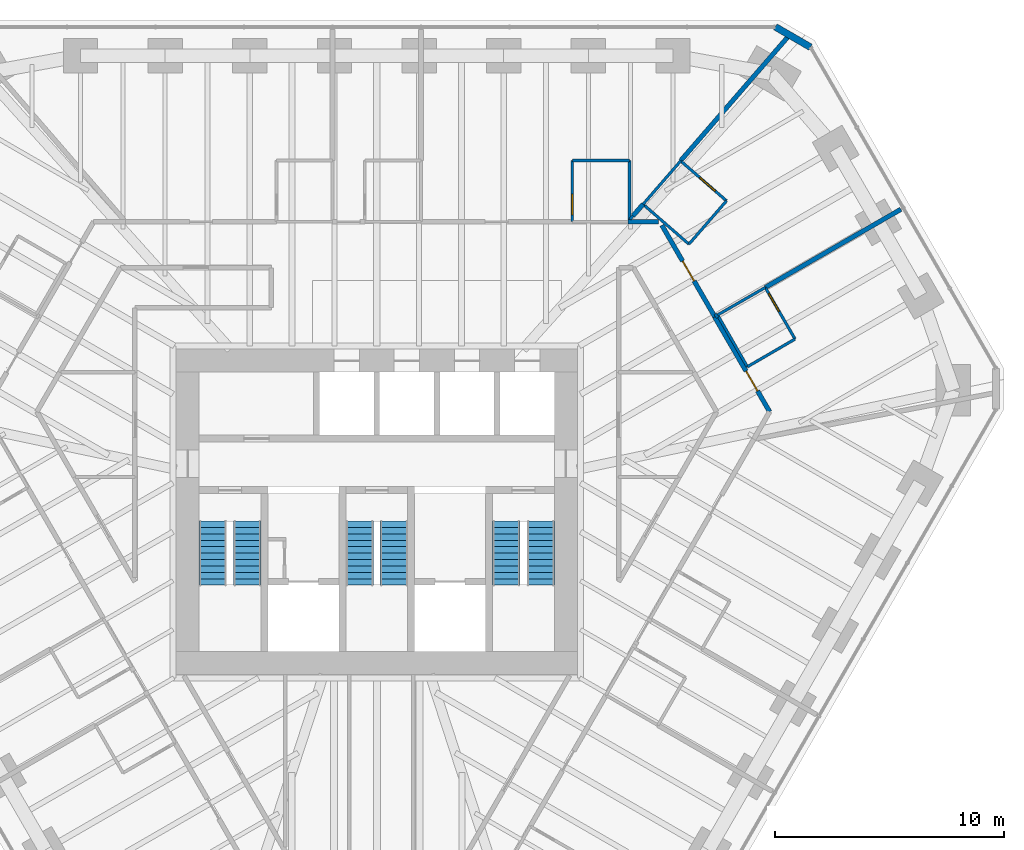
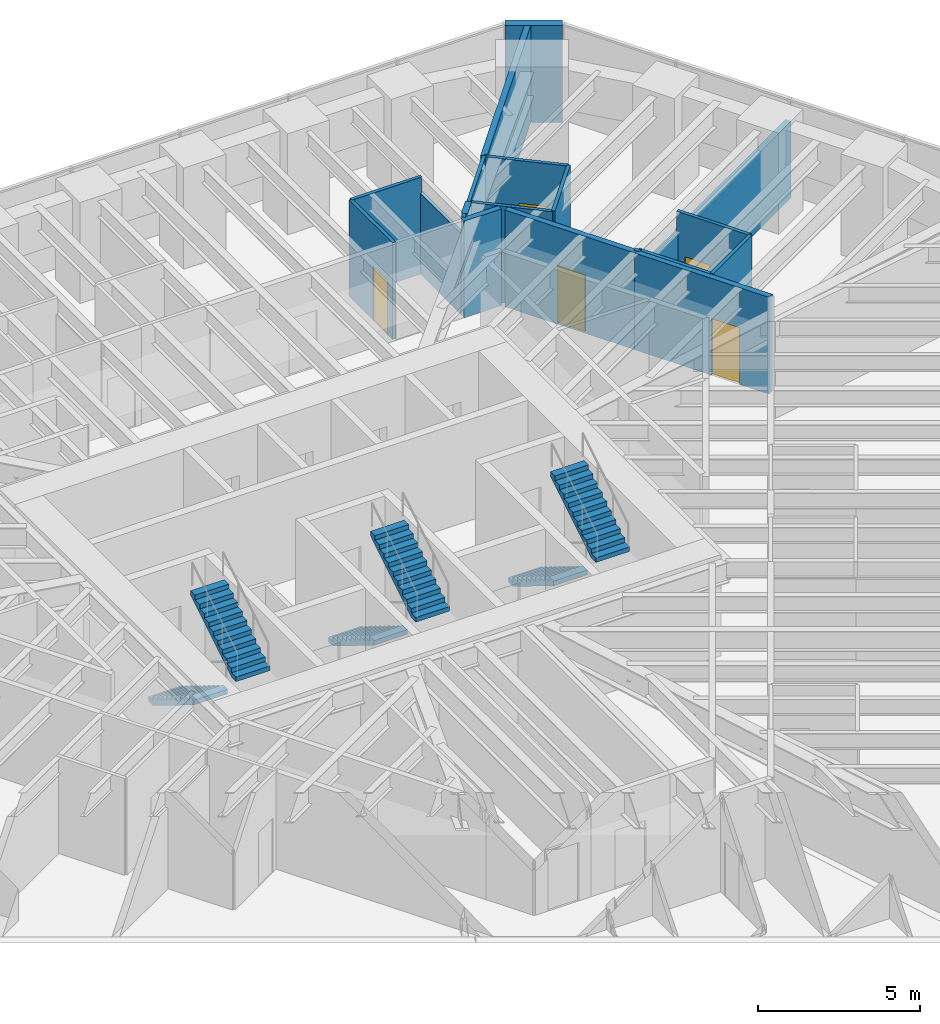
# One storey, part 15 of 16: 20 walls, 6 stair flights, 5 doors, 5 openings, 3 elements without a shape of their own.
"""IFC4 building model written with IfcOpenShell, lengths in metres."""

from ifc_helpers import new_model, si_unit, direction, frame, frame_2d, origin, place, context, subcontext, project, spatial, polyline, rectangle, outline, extrude, material, layer, layer_set, type_object, element, fill, aggregate, save


model = new_model("IFC4")

# Units and contexts
model_context = context("Model", 3, precision=1e-05, world=origin(), true_north=direction((0.0, 1.0)))
body_context = subcontext(model_context, "Body", "Model", "MODEL_VIEW")
ifc_project = project(units=[si_unit("LENGTHUNIT", "METRE"), si_unit("AREAUNIT", "SQUARE_METRE"), si_unit("VOLUMEUNIT", "CUBIC_METRE"), si_unit("PLANEANGLEUNIT", "RADIAN"), si_unit("MASSUNIT", "GRAM", prefix="KILO")], contexts=[model_context])

# Site, building, storey
site_placement = place(None, origin())
site = spatial("IfcSite", under=ifc_project, at=site_placement, CompositionType="ELEMENT")
building_placement = place(site_placement, origin())
building = spatial("IfcBuilding", under=site, at=building_placement, Name="Sandreach Pilgrim Tower", CompositionType="ELEMENT")
storey_placement = place(building_placement, frame((0.0, 0.0, 190.800048828125)))
storey = spatial("IfcBuildingStorey", under=building, at=storey_placement, Name="L47", CompositionType="ELEMENT", Elevation=190.800048828125)

# Wall, opening, door
ifc_material_1 = material(Name="Moisture-resistant gypsum board on steel studs", Category="steel")
ifc_layer_1 = layer(ifc_material_1, 0.1201171875)
ifc_layer_set_1 = layer_set([ifc_layer_1], Name="Bathroom partition 120")
wall_type_1 = type_object("IfcWallType", Name="Bathroom partition 120", PredefinedType="PARTITIONING", material=ifc_layer_set_1)
wall_1_placement = place(storey_placement, frame((8.530029296875, 15.330078125, 0.0), z_axis=(0.0, 0.0, 1.0), x_axis=(0.0, -1.0, 0.0)))
wall_1 = element("IfcWall", 1, at=wall_1_placement, inside=storey, type_object=wall_type_1, Name="Bathroom partition L47-102", PredefinedType="PARTITIONING", context=body_context, shape_type="SweptSolid", body=[
    extrude(rectangle(XDim=2.670166015625, YDim=0.1201171875, at=frame_2d((1.3349609375, 0.0))), origin(), (0.0, 0.0, 1.0), 3.639892578125),
])
opening_1_placement = place(wall_1_placement, frame((1.469970703125, 0.0, 0.0)))
opening_1 = element("IfcOpeningElement", 2, at=opening_1_placement, cuts=wall_1, Name="Opening D09-03B", PredefinedType="OPENING", context=body_context, shape_type="SweptSolid", body=[
    extrude(rectangle(XDim=0.89990234375, YDim=2.030029296875, at=frame_2d((0.449951171875, 1.01513671875))), frame((0.0, 0.06005859375, 0.0), z_axis=(0.0, -1.0, 0.0), x_axis=(1.0, 0.0, 0.0)), (0.0, 0.0, 1.0), 0.1201171875),
])
ifc_material_2 = material(Name="Timber door, steel frame", Category="steel")
door_type_1 = type_object("IfcDoorType", Name="Bathroom door", OperationType="SINGLE_SWING_LEFT", PredefinedType="DOOR", material=ifc_material_2)
door_1_placement = place(opening_1_placement, origin())
door_1 = element("IfcDoor", 3, at=door_1_placement, inside=storey, type_object=door_type_1, Name="Door 4703B", OperationType="SINGLE_SWING_RIGHT", OverallHeight=2.030029296875, OverallWidth=0.89990234375, PredefinedType="DOOR", context=body_context, shape_type="SweptSolid", body=[
    extrude(rectangle(XDim=0.89990234375, YDim=2.030029296875, at=frame_2d((0.449951171875, 1.01513671875))), frame((0.0, 0.02490234375, 0.0), z_axis=(0.0, -1.0, 0.0), x_axis=(1.0, 0.0, 0.0)), (0.0, 0.0, 1.0), 0.050048828125),
])
fill(opening_1, door_1)

# Walls
wall_2_placement = place(storey_placement, frame((11.030029296875, 12.739990234375, 0.0), z_axis=(0.0, 0.0, 1.0), x_axis=(0.0, 1.0, 0.0)))
element("IfcWall", 4, at=wall_2_placement, inside=storey, type_object=wall_type_1, Name="Bathroom partition L47-112", PredefinedType="PARTITIONING", context=body_context, shape_type="SweptSolid", body=[
    extrude(rectangle(XDim=2.590087890625, YDim=0.1201171875, at=frame_2d((1.294921875, 0.0))), origin(), (0.0, 0.0, 1.0), 3.0380859375),
])
wall_3_placement = place(storey_placement, frame((11.030029296875, 15.330078125, 0.0), z_axis=(0.0, 0.0, 1.0), x_axis=(-1.0, 0.0, 0.0)))
element("IfcWall", 5, at=wall_3_placement, inside=storey, type_object=wall_type_1, Name="Bathroom partition L47-113", PredefinedType="PARTITIONING", context=body_context, shape_type="SweptSolid", body=[
    extrude(rectangle(XDim=2.5, YDim=0.1201171875, at=frame_2d((1.25, 0.0))), origin(), (0.0, 0.0, 1.0), 3.639892578125),
])
wall_4_placement = place(storey_placement, frame((11.04931640625, 12.762939453125, 0.0), z_axis=(0.0, 0.0, 1.0), x_axis=(0.639596257895, 0.768711016499, 0.0)))
element("IfcWall", 6, at=wall_4_placement, inside=storey, type_object=wall_type_1, Name="Bathroom partition L47-114", PredefinedType="PARTITIONING", context=body_context, shape_type="SweptSolid", body=[
    extrude(rectangle(XDim=0.2041015625, YDim=0.1201171875, at=frame_2d((0.10205078125, 0.0))), origin(), (0.0, 0.0, 1.0), 3.639892578125),
])
wall_5_placement = place(storey_placement, frame((11.6201171875, 13.419921875, 0.0), z_axis=(0.0, 0.0, 1.0), x_axis=(0.655335308977, 0.755338091723, 0.0)))
element("IfcWall", 7, at=wall_5_placement, inside=storey, type_object=wall_type_1, Name="Bathroom partition L47-119", PredefinedType="PARTITIONING", context=body_context, shape_type="SweptSolid", body=[
    extrude(rectangle(XDim=2.50244140625, YDim=0.1201171875, at=frame_2d((1.251220703125, 0.0))), origin(), (0.0, 0.0, 1.0), 3.639892578125),
])
wall_6_placement = place(storey_placement, frame((11.6201171875, 13.419921875, 0.0), z_axis=(0.0, 0.0, 1.0), x_axis=(0.754444902764, -0.656363381591, 0.0)))
element("IfcWall", 8, at=wall_6_placement, inside=storey, type_object=wall_type_1, Name="Bathroom partition L47-120", PredefinedType="PARTITIONING", context=body_context, shape_type="SweptSolid", body=[
    extrude(rectangle(XDim=2.65087890625, YDim=0.1201171875, at=frame_2d((1.325439453125, 0.0))), origin(), (0.0, 0.0, 1.0), 3.639892578125),
])
wall_7_placement = place(storey_placement, frame((13.6201171875, 11.679931640625, 0.0), z_axis=(0.0, 0.0, 1.0), x_axis=(0.655335308977, 0.755338091723, 0.0)))
element("IfcWall", 9, at=wall_7_placement, inside=storey, type_object=wall_type_1, Name="Bathroom partition L47-130", PredefinedType="PARTITIONING", context=body_context, shape_type="SweptSolid", body=[
    extrude(rectangle(XDim=2.50244140625, YDim=0.1201171875, at=frame_2d((1.251220703125, 0.0))), origin(), (0.0, 0.0, 1.0), 3.639892578125),
])
wall_8_placement = place(storey_placement, frame((14.8701171875, 8.590087890625, 0.0), z_axis=(0.0, 0.0, 1.0), x_axis=(0.498557331759, -0.866856728041, 0.0)))
element("IfcWall", 10, at=wall_8_placement, inside=storey, type_object=wall_type_1, Name="Bathroom partition L47-137", PredefinedType="PARTITIONING", context=body_context, shape_type="SweptSolid", body=[
    extrude(rectangle(XDim=2.607177734375, YDim=0.1201171875, at=frame_2d((1.3037109375, 0.0))), origin(), (0.0, 0.0, 1.0), 3.639892578125),
])
wall_9_placement = place(storey_placement, frame((14.8701171875, 8.590087890625, 0.0), z_axis=(0.0, 0.0, 1.0), x_axis=(0.866177122335, 0.499737123639, 0.0)))
element("IfcWall", 11, at=wall_9_placement, inside=storey, type_object=wall_type_1, Name="Bathroom partition L47-138", PredefinedType="PARTITIONING", context=body_context, shape_type="SweptSolid", body=[
    extrude(rectangle(XDim=2.401123046875, YDim=0.1201171875, at=frame_2d((1.20068359375, 0.0))), origin(), (0.0, 0.0, 1.0), 2.8779296875),
])

# Wall, opening, door
wall_10_placement = place(storey_placement, frame((15.260009765625, 13.570068359375, 0.0), z_axis=(0.0, 0.0, 1.0), x_axis=(-0.754444902764, 0.656363381591, 0.0)))
wall_10 = element("IfcWall", 12, at=wall_10_placement, inside=storey, type_object=wall_type_1, Name="Bathroom partition L47-139", PredefinedType="PARTITIONING", context=body_context, shape_type="SweptSolid", body=[
    extrude(rectangle(XDim=2.65087890625, YDim=0.1201171875, at=frame_2d((1.325439453125, 0.0))), origin(), (0.0, 0.0, 1.0), 3.639892578125),
])
opening_2_placement = place(wall_10_placement, frame((0.64990234375, 0.0, 0.0)))
opening_2 = element("IfcOpeningElement", 13, at=opening_2_placement, cuts=wall_10, Name="Opening D09-04B", PredefinedType="OPENING", context=body_context, shape_type="SweptSolid", body=[
    extrude(rectangle(XDim=0.89990234375, YDim=2.030029296875, at=frame_2d((0.449951171875, 1.01513671875))), frame((0.0, 0.06005859375, 0.0), z_axis=(0.0, -1.0, 0.0), x_axis=(1.0, 0.0, 0.0)), (0.0, 0.0, 1.0), 0.1201171875),
])
door_2_placement = place(opening_2_placement, origin())
door_2 = element("IfcDoor", 14, at=door_2_placement, inside=storey, type_object=door_type_1, Name="Door 4704B", OperationType="SINGLE_SWING_LEFT", OverallHeight=2.030029296875, OverallWidth=0.89990234375, PredefinedType="DOOR", context=body_context, shape_type="SweptSolid", body=[
    extrude(rectangle(XDim=0.89990234375, YDim=2.030029296875, at=frame_2d((0.449951171875, 1.01513671875))), frame((0.0, 0.02490234375, 0.0), z_axis=(0.0, -1.0, 0.0), x_axis=(1.0, 0.0, 0.0)), (0.0, 0.0, 1.0), 0.050048828125),
])
fill(opening_2, door_2)

# Wall
wall_11_placement = place(storey_placement, frame((16.169921875, 6.330078125, 0.0), z_axis=(0.0, 0.0, 1.0), x_axis=(0.864396442809, 0.502810888564, 0.0)))
element("IfcWall", 15, at=wall_11_placement, inside=storey, type_object=wall_type_1, Name="Bathroom partition L47-141", PredefinedType="PARTITIONING", context=body_context, shape_type="SweptSolid", body=[
    extrude(rectangle(XDim=2.406494140625, YDim=0.1201171875, at=frame_2d((1.203125, 0.0))), origin(), (0.0, 0.0, 1.0), 3.639892578125),
])

# Wall, opening, door
wall_12_placement = place(storey_placement, frame((18.25, 7.5400390625, 0.0), z_axis=(0.0, 0.0, 1.0), x_axis=(-0.500291685314, 0.865856933682, 0.0)))
wall_12 = element("IfcWall", 16, at=wall_12_placement, inside=storey, type_object=wall_type_1, Name="Bathroom partition L47-146", PredefinedType="PARTITIONING", context=body_context, shape_type="SweptSolid", body=[
    extrude(rectangle(XDim=2.5986328125, YDim=0.1201171875, at=frame_2d((1.29931640625, 0.0))), origin(), (0.0, 0.0, 1.0), 3.639892578125),
])
opening_3_placement = place(wall_12_placement, frame((1.398681640625, 0.0, 0.0)))
opening_3 = element("IfcOpeningElement", 17, at=opening_3_placement, cuts=wall_12, Name="Opening D09-05B", PredefinedType="OPENING", context=body_context, shape_type="SweptSolid", body=[
    extrude(rectangle(XDim=0.89990234375, YDim=2.030029296875, at=frame_2d((0.449951171875, 1.01513671875))), frame((0.0, 0.06005859375, 0.0), z_axis=(0.0, -1.0, 0.0), x_axis=(1.0, 0.0, 0.0)), (0.0, 0.0, 1.0), 0.1201171875),
])
door_3_placement = place(opening_3_placement, origin())
door_3 = element("IfcDoor", 18, at=door_3_placement, inside=storey, type_object=door_type_1, Name="Door 4705B", OperationType="SINGLE_SWING_RIGHT", OverallHeight=2.030029296875, OverallWidth=0.89990234375, PredefinedType="DOOR", context=body_context, shape_type="SweptSolid", body=[
    extrude(rectangle(XDim=0.89990234375, YDim=2.030029296875, at=frame_2d((0.449951171875, 1.01513671875))), frame((0.0, 0.02490234375, 0.0), z_axis=(0.0, -1.0, 0.0), x_axis=(1.0, 0.0, 0.0)), (0.0, 0.0, 1.0), 0.050048828125),
])
fill(opening_3, door_3)

# Wall
ifc_material_3 = material(Name="Gypsum board on steel studs, two layers each side", Category="steel")
ifc_layer_2 = layer(ifc_material_3, 0.199951171875)
ifc_layer_set_2 = layer_set([ifc_layer_2], Name="Corridor wall 200")
wall_type_2 = type_object("IfcWallType", Name="Corridor wall 200", PredefinedType="PARTITIONING", material=ifc_layer_set_2)
wall_13_placement = place(storey_placement, frame((12.2900390625, 12.659912109375, 0.0), z_axis=(0.0, 0.0, 1.0), x_axis=(-1.0, 0.0, 0.0)))
element("IfcWall", 19, at=wall_13_placement, inside=storey, type_object=wall_type_2, Name="Corridor wall L47-125", PredefinedType="PARTITIONING", context=body_context, shape_type="SweptSolid", body=[
    extrude(rectangle(XDim=1.330078125, YDim=0.199951171875, at=frame_2d((0.6650390625, 0.0))), origin(), (0.0, 0.0, 1.0), 3.639892578125),
])

# Wall, opening, door
wall_14_placement = place(storey_placement, frame((12.440185546875, 12.504150390625, 0.0), z_axis=(0.0, 0.0, 1.0), x_axis=(0.500616963614, -0.865668906535, 0.0)))
wall_14 = element("IfcWall", 20, at=wall_14_placement, inside=storey, type_object=wall_type_2, Name="Corridor wall L47-126", PredefinedType="PARTITIONING", context=body_context, shape_type="SweptSolid", body=[
    extrude(rectangle(XDim=4.614013671875, YDim=0.199951171875, at=frame_2d((2.30712890625, 0.0))), origin(), (0.0, 0.0, 1.0), 3.639892578125),
])
opening_4_placement = place(wall_14_placement, frame((1.806884765625, 0.0, 0.0)))
opening_4 = element("IfcOpeningElement", 21, at=opening_4_placement, cuts=wall_14, Name="Opening D10-04", PredefinedType="OPENING", context=body_context, shape_type="SweptSolid", body=[
    extrude(rectangle(XDim=1.0, YDim=2.1298828125, at=frame_2d((0.5, 1.06494140625))), frame((0.0, 0.10009765625, 0.0), z_axis=(0.0, -1.0, 0.0), x_axis=(1.0, 0.0, 0.0)), (0.0, 0.0, 1.0), 0.199951171875),
])
ifc_material_4 = material(Name="Steel door and frame", Category="steel")
door_type_2 = type_object("IfcDoorType", Name="Guest room entry door", OperationType="SINGLE_SWING_LEFT", PredefinedType="DOOR", material=ifc_material_4)
door_4_placement = place(opening_4_placement, origin())
door_4 = element("IfcDoor", 22, at=door_4_placement, inside=storey, type_object=door_type_2, Name="Door 4704", OperationType="SINGLE_SWING_LEFT", OverallHeight=2.1298828125, OverallWidth=1.0, PredefinedType="DOOR", context=body_context, shape_type="SweptSolid", body=[
    extrude(rectangle(XDim=1.0, YDim=2.1298828125, at=frame_2d((0.5, 1.06494140625))), frame((0.0, 0.02490234375, 0.0), z_axis=(0.0, -1.0, 0.0), x_axis=(1.0, 0.0, 0.0)), (0.0, 0.0, 1.0), 0.050048828125),
])
fill(opening_4, door_4)

wall_15_placement = place(storey_placement, frame((17.139892578125, 4.3701171875, 0.0), z_axis=(0.0, 0.0, 1.0), x_axis=(-0.501524901322, 0.865143209737, 0.0)))
wall_15 = element("IfcWall", 23, at=wall_15_placement, inside=storey, type_object=wall_type_2, Name="Corridor wall L47-144", PredefinedType="PARTITIONING", context=body_context, shape_type="SweptSolid", body=[
    extrude(rectangle(XDim=4.78515625, YDim=0.199951171875, at=frame_2d((2.392578125, 0.0))), origin(), (0.0, 0.0, 1.0), 3.639892578125),
])
opening_5_placement = place(wall_15_placement, frame((1.050048828125, 0.0, 0.0)))
opening_5 = element("IfcOpeningElement", 24, at=opening_5_placement, cuts=wall_15, Name="Opening D10-05", PredefinedType="OPENING", context=body_context, shape_type="SweptSolid", body=[
    extrude(rectangle(XDim=1.0, YDim=2.1298828125, at=frame_2d((0.5, 1.06494140625))), frame((0.0, 0.10009765625, 0.0), z_axis=(0.0, -1.0, 0.0), x_axis=(1.0, 0.0, 0.0)), (0.0, 0.0, 1.0), 0.199951171875),
])
door_5_placement = place(opening_5_placement, origin())
door_5 = element("IfcDoor", 25, at=door_5_placement, inside=storey, type_object=door_type_2, Name="Door 4705", OperationType="SINGLE_SWING_LEFT", OverallHeight=2.1298828125, OverallWidth=1.0, PredefinedType="DOOR", context=body_context, shape_type="SweptSolid", body=[
    extrude(rectangle(XDim=1.0, YDim=2.1298828125, at=frame_2d((0.5, 1.06494140625))), frame((0.0, 0.02490234375, 0.0), z_axis=(0.0, -1.0, 0.0), x_axis=(1.0, 0.0, 0.0)), (0.0, 0.0, 1.0), 0.050048828125),
])
fill(opening_5, door_5)

# Walls
ifc_material_5 = material(Name="Double steel stud acoustic wall, gypsum board", Category="steel")
ifc_layer_3 = layer(ifc_material_5, 0.199951171875)
ifc_layer_set_3 = layer_set([ifc_layer_3], Name="Party wall 200")
wall_type_3 = type_object("IfcWallType", Name="Party wall 200", PredefinedType="PARTITIONING", material=ifc_layer_set_3)
wall_16_placement = place(storey_placement, frame((11.179931640625, 12.919921875, 0.0), z_axis=(0.0, 0.0, 1.0), x_axis=(0.660578310858, 0.750757147967, 0.0)))
element("IfcWall", 26, at=wall_16_placement, inside=storey, type_object=wall_type_3, Name="Party wall L47-115", PredefinedType="PARTITIONING", context=body_context, shape_type="SweptSolid", body=[
    extrude(rectangle(XDim=0.666015625, YDim=0.199951171875, at=frame_2d((0.3330078125, 0.0))), origin(), (0.0, 0.0, 1.0), 3.639892578125),
])
wall_17_placement = place(storey_placement, frame((14.7666015625, 8.52099609375, 0.0), z_axis=(0.0, 0.0, 1.0), x_axis=(0.831142316784, 0.55605975331, 0.0)))
element("IfcWall", 27, at=wall_17_placement, inside=storey, type_object=wall_type_3, Name="Party wall L47-135", PredefinedType="PARTITIONING", context=body_context, shape_type="SweptSolid", body=[
    extrude(rectangle(XDim=0.124267578125, YDim=0.199951171875, at=frame_2d((0.06201171875, 0.0))), origin(), (0.0, 0.0, 1.0), 3.639892578125),
])
wall_18_placement = place(storey_placement, frame((16.949951171875, 9.7900390625, 0.0), z_axis=(0.0, 0.0, 1.0), x_axis=(0.866371236465, 0.499400521251, 0.0)))
element("IfcWall", 28, at=wall_18_placement, inside=storey, type_object=wall_type_3, Name="Party wall L47-143", PredefinedType="PARTITIONING", context=body_context, shape_type="SweptSolid", body=[
    extrude(rectangle(XDim=6.82861328125, YDim=0.199951171875, at=frame_2d((3.414306640625, 0.0))), origin(), (0.0, 0.0, 1.0), 2.8779296875),
])
wall_19_placement = place(storey_placement, frame((18.020263671875, 20.8173828125, 0.0), z_axis=(0.0, 0.0, 1.0), x_axis=(-0.654701954033, -0.755887128733, 0.0)))
element("IfcWall", 29, at=wall_19_placement, inside=storey, type_object=wall_type_3, Name="Party wall L47-145", PredefinedType="PARTITIONING", context=body_context, shape_type="SweptSolid", body=[
    extrude(rectangle(XDim=7.279541015625, YDim=0.199951171875, at=frame_2d((3.6396484375, 0.0))), origin(), (0.0, 0.0, 1.0), 3.639892578125),
])
ifc_material_6 = material(Name="Terracotta rainscreen on concrete", Category="masonry")
ifc_layer_4 = layer(ifc_material_6, 0.300048828125)
ifc_layer_set_4 = layer_set([ifc_layer_4], Name="Terracotta chamfer pier")
wall_type_4 = type_object("IfcWallType", Name="Terracotta chamfer pier", PredefinedType="SOLIDWALL", material=ifc_layer_set_4)
wall_20_placement = place(storey_placement, frame((17.389892578125, 21.16015625, 0.0), z_axis=(0.0, 0.0, 1.0), x_axis=(0.866036293601, -0.499981137809, 0.0)))
element("IfcWall", 30, at=wall_20_placement, inside=storey, type_object=wall_type_4, Name="Chamfer pier L47 N", PredefinedType="SOLIDWALL", context=body_context, shape_type="SweptSolid", body=[
    extrude(rectangle(XDim=1.77001953125, YDim=0.300048828125, at=frame_2d((0.885009765625, 0.0))), origin(), (0.0, 0.0, 1.0), 3.639892578125),
])

# Stair, stair flights
ifc_material_7 = material(Name="Concrete 8000 psi", Category="concrete")
stair_type = type_object("IfcStairType", Name="Core exit stair", PredefinedType="HALF_TURN_STAIR", material=ifc_material_7)
stair_1_placement = place(storey_placement, origin())
stair_1 = element("IfcStair", 31, at=stair_1_placement, inside=storey, type_object=stair_type, Name="Exit stair ST1 L47", PredefinedType="HALF_TURN_STAIR")
ifc_material_8 = material(Name="Concrete 8000 psi", Category="concrete")
stair_flight_type = type_object("IfcStairFlightType", Name="Core stair flight 1200", PredefinedType="STRAIGHT", material=ifc_material_8)
stair_flight_1_placement = place(storey_placement, frame((-7.14990234375, -0.39990234375, 0.0), z_axis=(0.0, 0.0, 1.0), x_axis=(0.0, -1.0, 0.0)))
stair_flight_1 = element("IfcStairFlight", 32, at=stair_flight_1_placement, type_object=stair_flight_type, Name="ST1 flight 1", NumberOfRisers=11, NumberOfTreads=10, PredefinedType="STRAIGHT", RiserHeight=0.172727273, TreadLength=0.28, context=body_context, shape_type="SweptSolid", body=[
    extrude(outline(polyline([(0.0, 0.0), (0.0, 0.172607421875), (0.280029296875, 0.172607421875), (0.280029296875, 0.345458984375), (0.56005859375, 0.345458984375), (0.56005859375, 0.51806640625), (0.840087890625, 0.51806640625), (0.840087890625, 0.69091796875), (1.1201171875, 0.69091796875), (1.1201171875, 0.863525390625), (1.39990234375, 0.863525390625), (1.39990234375, 1.036376953125), (1.679931640625, 1.036376953125), (1.679931640625, 1.208984375), (1.9599609375, 1.208984375), (1.9599609375, 1.3818359375), (2.239990234375, 1.3818359375), (2.239990234375, 1.554443359375), (2.52001953125, 1.554443359375), (2.52001953125, 1.727294921875), (2.800048828125, 1.727294921875), (2.800048828125, 1.89990234375), (2.800048828125, 1.551025390625), (0.285400390625, 0.0), (0.0, 0.0)])), frame((0.0, 0.60009765625, 0.0), z_axis=(0.0, -1.0, 0.0), x_axis=(1.0, 0.0, 0.0)), (0.0, 0.0, 1.0), 1.199951171875),
])
stair_flight_2_placement = place(storey_placement, frame((-5.64990234375, -3.199951171875, 1.89990234375), z_axis=(0.0, 0.0, 1.0), x_axis=(0.0, 1.0, 0.0)))
stair_flight_2 = element("IfcStairFlight", 33, at=stair_flight_2_placement, type_object=stair_flight_type, Name="ST1 flight 2", NumberOfRisers=11, NumberOfTreads=10, PredefinedType="STRAIGHT", RiserHeight=0.172727273, TreadLength=0.28, context=body_context, shape_type="SweptSolid", body=[
    extrude(outline(polyline([(0.0, 0.0), (0.0, 0.172607421875), (0.280029296875, 0.172607421875), (0.280029296875, 0.345458984375), (0.56005859375, 0.345458984375), (0.56005859375, 0.51806640625), (0.840087890625, 0.51806640625), (0.840087890625, 0.69091796875), (1.1201171875, 0.69091796875), (1.1201171875, 0.863525390625), (1.39990234375, 0.863525390625), (1.39990234375, 1.036376953125), (1.679931640625, 1.036376953125), (1.679931640625, 1.208984375), (1.9599609375, 1.208984375), (1.9599609375, 1.3818359375), (2.239990234375, 1.3818359375), (2.239990234375, 1.554443359375), (2.52001953125, 1.554443359375), (2.52001953125, 1.727294921875), (2.800048828125, 1.727294921875), (2.800048828125, 1.89990234375), (2.800048828125, 1.551025390625), (0.285400390625, 0.0), (0.0, 0.0)])), frame((0.0, 0.60009765625, 0.0), z_axis=(0.0, -1.0, 0.0), x_axis=(1.0, 0.0, 0.0)), (0.0, 0.0, 1.0), 1.199951171875),
])
aggregate(stair_1, [stair_flight_1, stair_flight_2])

stair_2_placement = place(storey_placement, origin())
stair_2 = element("IfcStair", 34, at=stair_2_placement, inside=storey, type_object=stair_type, Name="Exit stair ST3 L47", PredefinedType="HALF_TURN_STAIR")
stair_flight_3_placement = place(storey_placement, frame((-0.75, -0.39990234375, 0.0), z_axis=(0.0, 0.0, 1.0), x_axis=(0.0, -1.0, 0.0)))
stair_flight_3 = element("IfcStairFlight", 35, at=stair_flight_3_placement, type_object=stair_flight_type, Name="ST3 flight 1", NumberOfRisers=11, NumberOfTreads=10, PredefinedType="STRAIGHT", RiserHeight=0.172727273, TreadLength=0.28, context=body_context, shape_type="SweptSolid", body=[
    extrude(outline(polyline([(0.0, 0.0), (0.0, 0.172607421875), (0.280029296875, 0.172607421875), (0.280029296875, 0.345458984375), (0.56005859375, 0.345458984375), (0.56005859375, 0.51806640625), (0.840087890625, 0.51806640625), (0.840087890625, 0.69091796875), (1.1201171875, 0.69091796875), (1.1201171875, 0.863525390625), (1.39990234375, 0.863525390625), (1.39990234375, 1.036376953125), (1.679931640625, 1.036376953125), (1.679931640625, 1.208984375), (1.9599609375, 1.208984375), (1.9599609375, 1.3818359375), (2.239990234375, 1.3818359375), (2.239990234375, 1.554443359375), (2.52001953125, 1.554443359375), (2.52001953125, 1.727294921875), (2.800048828125, 1.727294921875), (2.800048828125, 1.89990234375), (2.800048828125, 1.551025390625), (0.285400390625, 0.0), (0.0, 0.0)])), frame((0.0, 0.60009765625, 0.0), z_axis=(0.0, -1.0, 0.0), x_axis=(1.0, 0.0, 0.0)), (0.0, 0.0, 1.0), 1.199951171875),
])
stair_flight_4_placement = place(storey_placement, frame((0.75, -3.199951171875, 1.89990234375), z_axis=(0.0, 0.0, 1.0), x_axis=(0.0, 1.0, 0.0)))
stair_flight_4 = element("IfcStairFlight", 36, at=stair_flight_4_placement, type_object=stair_flight_type, Name="ST3 flight 2", NumberOfRisers=11, NumberOfTreads=10, PredefinedType="STRAIGHT", RiserHeight=0.172727273, TreadLength=0.28, context=body_context, shape_type="SweptSolid", body=[
    extrude(outline(polyline([(0.0, 0.0), (0.0, 0.172607421875), (0.280029296875, 0.172607421875), (0.280029296875, 0.345458984375), (0.56005859375, 0.345458984375), (0.56005859375, 0.51806640625), (0.840087890625, 0.51806640625), (0.840087890625, 0.69091796875), (1.1201171875, 0.69091796875), (1.1201171875, 0.863525390625), (1.39990234375, 0.863525390625), (1.39990234375, 1.036376953125), (1.679931640625, 1.036376953125), (1.679931640625, 1.208984375), (1.9599609375, 1.208984375), (1.9599609375, 1.3818359375), (2.239990234375, 1.3818359375), (2.239990234375, 1.554443359375), (2.52001953125, 1.554443359375), (2.52001953125, 1.727294921875), (2.800048828125, 1.727294921875), (2.800048828125, 1.89990234375), (2.800048828125, 1.551025390625), (0.285400390625, 0.0), (0.0, 0.0)])), frame((0.0, 0.60009765625, 0.0), z_axis=(0.0, -1.0, 0.0), x_axis=(1.0, 0.0, 0.0)), (0.0, 0.0, 1.0), 1.199951171875),
])
aggregate(stair_2, [stair_flight_3, stair_flight_4])

stair_3_placement = place(storey_placement, origin())
stair_3 = element("IfcStair", 37, at=stair_3_placement, inside=storey, type_object=stair_type, Name="Exit stair ST2 L47", PredefinedType="HALF_TURN_STAIR")
stair_flight_5_placement = place(storey_placement, frame((5.64990234375, -0.39990234375, 0.0), z_axis=(0.0, 0.0, 1.0), x_axis=(0.0, -1.0, 0.0)))
stair_flight_5 = element("IfcStairFlight", 38, at=stair_flight_5_placement, type_object=stair_flight_type, Name="ST2 flight 1", NumberOfRisers=11, NumberOfTreads=10, PredefinedType="STRAIGHT", RiserHeight=0.172727273, TreadLength=0.28, context=body_context, shape_type="SweptSolid", body=[
    extrude(outline(polyline([(0.0, 0.0), (0.0, 0.172607421875), (0.280029296875, 0.172607421875), (0.280029296875, 0.345458984375), (0.56005859375, 0.345458984375), (0.56005859375, 0.51806640625), (0.840087890625, 0.51806640625), (0.840087890625, 0.69091796875), (1.1201171875, 0.69091796875), (1.1201171875, 0.863525390625), (1.39990234375, 0.863525390625), (1.39990234375, 1.036376953125), (1.679931640625, 1.036376953125), (1.679931640625, 1.208984375), (1.9599609375, 1.208984375), (1.9599609375, 1.3818359375), (2.239990234375, 1.3818359375), (2.239990234375, 1.554443359375), (2.52001953125, 1.554443359375), (2.52001953125, 1.727294921875), (2.800048828125, 1.727294921875), (2.800048828125, 1.89990234375), (2.800048828125, 1.551025390625), (0.285400390625, 0.0), (0.0, 0.0)])), frame((0.0, 0.60009765625, 0.0), z_axis=(0.0, -1.0, 0.0), x_axis=(1.0, 0.0, 0.0)), (0.0, 0.0, 1.0), 1.199951171875),
])
stair_flight_6_placement = place(storey_placement, frame((7.14990234375, -3.199951171875, 1.89990234375), z_axis=(0.0, 0.0, 1.0), x_axis=(0.0, 1.0, 0.0)))
stair_flight_6 = element("IfcStairFlight", 39, at=stair_flight_6_placement, type_object=stair_flight_type, Name="ST2 flight 2", NumberOfRisers=11, NumberOfTreads=10, PredefinedType="STRAIGHT", RiserHeight=0.172727273, TreadLength=0.28, context=body_context, shape_type="SweptSolid", body=[
    extrude(outline(polyline([(0.0, 0.0), (0.0, 0.172607421875), (0.280029296875, 0.172607421875), (0.280029296875, 0.345458984375), (0.56005859375, 0.345458984375), (0.56005859375, 0.51806640625), (0.840087890625, 0.51806640625), (0.840087890625, 0.69091796875), (1.1201171875, 0.69091796875), (1.1201171875, 0.863525390625), (1.39990234375, 0.863525390625), (1.39990234375, 1.036376953125), (1.679931640625, 1.036376953125), (1.679931640625, 1.208984375), (1.9599609375, 1.208984375), (1.9599609375, 1.3818359375), (2.239990234375, 1.3818359375), (2.239990234375, 1.554443359375), (2.52001953125, 1.554443359375), (2.52001953125, 1.727294921875), (2.800048828125, 1.727294921875), (2.800048828125, 1.89990234375), (2.800048828125, 1.551025390625), (0.285400390625, 0.0), (0.0, 0.0)])), frame((0.0, 0.60009765625, 0.0), z_axis=(0.0, -1.0, 0.0), x_axis=(1.0, 0.0, 0.0)), (0.0, 0.0, 1.0), 1.199951171875),
])
aggregate(stair_3, [stair_flight_5, stair_flight_6])

save(model, "model.ifc")
